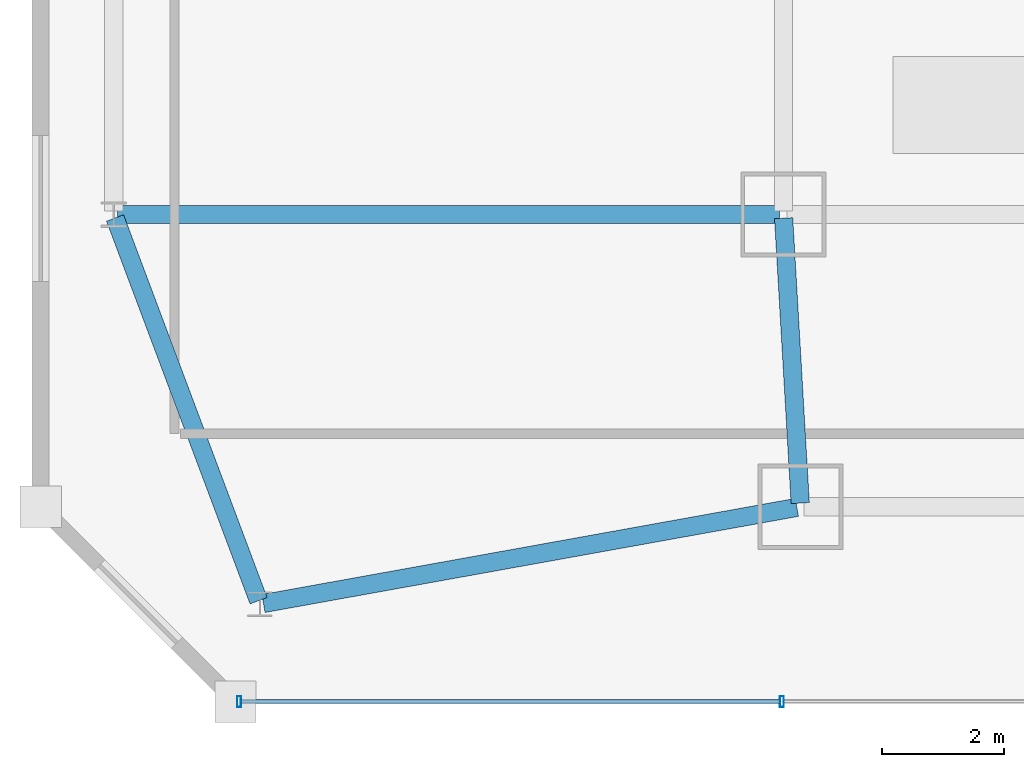
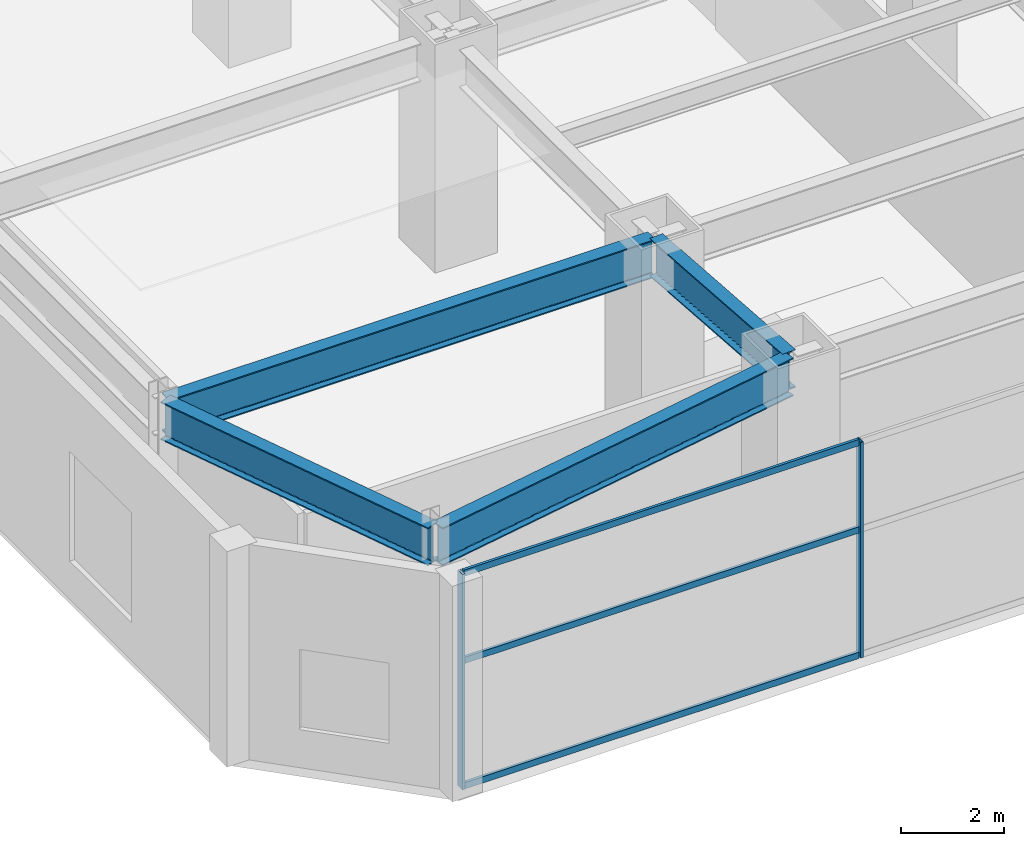
# One storey, part 8 of 52: 5 members, 4 beams, 1 element without a shape of its own.
"""IFC4 building model written with IfcOpenShell, lengths in metres."""

from ifc_helpers import new_model, si_unit, direction, frame, origin, origin_2d, place, context, subcontext, project, spatial, hollow_rectangle, i_section, extrude, material, material_profile, profile_set, type_object, element, aggregate, save


model = new_model("IFC4")

# Units and contexts
model_context = context("Model", 3, precision=1e-05, world=origin(), true_north=direction((0.0, 1.0)))
body_context = subcontext(model_context, "Body", "Model", "MODEL_VIEW")
ifc_project = project(units=[si_unit("LENGTHUNIT", "METRE"), si_unit("AREAUNIT", "SQUARE_METRE"), si_unit("VOLUMEUNIT", "CUBIC_METRE"), si_unit("PLANEANGLEUNIT", "RADIAN"), si_unit("MASSUNIT", "GRAM", prefix="KILO")], contexts=[model_context])

# Site, building, storey
site_placement = place(None, origin())
site = spatial("IfcSite", under=ifc_project, at=site_placement, CompositionType="ELEMENT")
building_placement = place(site_placement, origin())
building = spatial("IfcBuilding", under=site, at=building_placement, Name="Saevonmaru Cultural Tower", CompositionType="ELEMENT")
storey_placement = place(building_placement, frame((0.0, 0.0, 11.39990234375)))
storey = spatial("IfcBuildingStorey", under=building, at=storey_placement, Name="L02", CompositionType="ELEMENT", Elevation=11.39990234375)

# Beams
ifc_material_1 = material(Name="Steel SM420", Category="steel")
ifc_material_profile_1 = material_profile(ifc_material_1, i_section(OverallWidth=0.300048828125, OverallDepth=0.89990234375, WebThickness=0.01611328125, FlangeThickness=0.028076171875, FilletRadius=0.028076171875, at=origin_2d()), Name="H-900x300x16x28")
ifc_profile_set_1 = profile_set([ifc_material_profile_1], Name="Steel SM420")
beam_type = type_object("IfcBeamType", Name="BM-G-H900", PredefinedType="BEAM", material=ifc_profile_set_1)
beam_1_placement = place(storey_placement, frame((12.4765625, 3.260009765625, 4.650146484375), z_axis=(-0.058221363278, 0.998303697708, 0.0), x_axis=(-0.998303697708, -0.058221363278, 0.0)))
element("IfcBeam", 1, at=beam_1_placement, inside=storey, type_object=beam_type, Name="L02 Podium Girder NS1-1", PredefinedType="BEAM", context=body_context, shape_type="SweptSolid", body=[
    extrude(i_section(OverallWidth=0.300048828125, OverallDepth=0.89990234375, WebThickness=0.01611328125, FlangeThickness=0.028076171875, FilletRadius=0.028076171875, at=origin_2d()), origin(), (0.0, 0.0, 1.0), 4.688232421875),
])
beam_2_placement = place(storey_placement, frame((1.260009765625, 8.0, 4.650146484375), z_axis=(1.0, 0.0, 0.0), x_axis=(0.0, 1.0, 0.0)))
element("IfcBeam", 2, at=beam_2_placement, inside=storey, type_object=beam_type, Name="BM-POD-OW-1-L02", PredefinedType="BEAM", context=body_context, shape_type="SweptSolid", body=[
    extrude(i_section(OverallWidth=0.300048828125, OverallDepth=0.89990234375, WebThickness=0.01611328125, FlangeThickness=0.028076171875, FilletRadius=0.028076171875, at=origin_2d()), origin(), (0.0, 0.0, 1.0), 10.8798828125),
])
beam_3_placement = place(storey_placement, frame((3.658935546875, 1.610595703125, 4.650146484375), z_axis=(0.984149934695, 0.177338394151, 0.0), x_axis=(-0.177338394151, 0.984149934695, 0.0)))
element("IfcBeam", 3, at=beam_3_placement, inside=storey, type_object=beam_type, Name="BM-POD-PS-1-L02", PredefinedType="BEAM", context=body_context, shape_type="SweptSolid", body=[
    extrude(i_section(OverallWidth=0.300048828125, OverallDepth=0.89990234375, WebThickness=0.01611328125, FlangeThickness=0.028076171875, FilletRadius=0.028076171875, at=origin_2d()), origin(), (0.0, 0.0, 1.0), 8.903076171875),
])
beam_4_placement = place(storey_placement, frame((3.578857421875, 1.65625, 4.650146484375), z_axis=(-0.351099535502, 0.936338142003, 0.0), x_axis=(-0.936338142003, -0.351099535502, 0.0)))
element("IfcBeam", 4, at=beam_4_placement, inside=storey, type_object=beam_type, Name="BM-POD-PS-3-L02", PredefinedType="BEAM", context=body_context, shape_type="SweptSolid", body=[
    extrude(i_section(OverallWidth=0.300048828125, OverallDepth=0.89990234375, WebThickness=0.01611328125, FlangeThickness=0.028076171875, FilletRadius=0.028076171875, at=origin_2d()), origin(), (0.0, 0.0, 1.0), 6.715087890625),
])

# Curtain wall, members
ifc_material_2 = material(Name="Satin Bronze Anodised Aluminium", Category="aluminium")
curtain_wall_type = type_object("IfcCurtainWallType", Name="CW-POD-GLZ", PredefinedType="NOTDEFINED", material=ifc_material_2)
curtain_wall_placement = place(storey_placement, origin())
curtain_wall = element("IfcCurtainWall", 5, at=curtain_wall_placement, inside=storey, type_object=curtain_wall_type, Name="L02 South Grand Foyer Curtain Wall", PredefinedType="NOTDEFINED")
ifc_material_profile_2 = material_profile(ifc_material_2, hollow_rectangle(XDim=0.06494140625, YDim=0.179931640625, WallThickness=0.00390625, at=origin_2d()), Name="ALU-MULL-180x65x4")
ifc_profile_set_2 = profile_set([ifc_material_profile_2], Name="Satin Bronze Anodised Aluminium")
member_type_1 = type_object("IfcMemberType", Name="ML-CW-180x65", PredefinedType="MULLION", material=ifc_profile_set_2)
member_1_placement = place(storey_placement, frame((3.260009765625, 0.0, 0.0), z_axis=(0.0, 0.0, 1.0), x_axis=(1.0, 0.0, 0.0)))
member_1 = element("IfcMember", 6, at=member_1_placement, type_object=member_type_1, Name="CW-POD-S-L02 mullion 1", PredefinedType="MULLION", context=body_context, shape_type="SweptSolid", body=[
    extrude(hollow_rectangle(XDim=0.06494140625, YDim=0.179931640625, WallThickness=0.00390625, at=origin_2d()), origin(), (0.0, 0.0, 1.0), 5.10009765625),
])
member_2_placement = place(storey_placement, frame((12.17333984375, 0.0, 0.0), z_axis=(0.0, 0.0, 1.0), x_axis=(1.0, 0.0, 0.0)))
member_2 = element("IfcMember", 7, at=member_2_placement, type_object=member_type_1, Name="CW-POD-S-L02 mullion 2", PredefinedType="MULLION", context=body_context, shape_type="SweptSolid", body=[
    extrude(hollow_rectangle(XDim=0.06494140625, YDim=0.179931640625, WallThickness=0.00390625, at=origin_2d()), origin(), (0.0, 0.0, 1.0), 5.10009765625),
])
ifc_material_profile_3 = material_profile(ifc_material_2, hollow_rectangle(XDim=0.06494140625, YDim=0.14990234375, WallThickness=0.00390625, at=origin_2d()), Name="ALU-TRAN-150x65x4")
ifc_profile_set_3 = profile_set([ifc_material_profile_3], Name="Satin Bronze Anodised Aluminium")
member_type_2 = type_object("IfcMemberType", Name="TR-CW-150x65", PredefinedType="USERDEFINED", material=ifc_profile_set_3)
member_3_placement = place(storey_placement, frame((3.29248046875, 0.0, 0.03271484375), z_axis=(1.0, 0.0, 0.0), x_axis=(0.0, 1.0, 0.0)))
member_3 = element("IfcMember", 8, at=member_3_placement, type_object=member_type_2, Name="CW-POD-S-L02 transom 1.1", ObjectType="TRANSOM", PredefinedType="USERDEFINED", context=body_context, shape_type="SweptSolid", body=[
    extrude(hollow_rectangle(XDim=0.06494140625, YDim=0.14990234375, WallThickness=0.00390625, at=origin_2d()), origin(), (0.0, 0.0, 1.0), 8.848388671875),
])
member_4_placement = place(storey_placement, frame((3.29248046875, 0.0, 3.0), z_axis=(1.0, 0.0, 0.0), x_axis=(0.0, 1.0, 0.0)))
member_4 = element("IfcMember", 9, at=member_4_placement, type_object=member_type_2, Name="CW-POD-S-L02 transom 1.2", ObjectType="TRANSOM", PredefinedType="USERDEFINED", context=body_context, shape_type="SweptSolid", body=[
    extrude(hollow_rectangle(XDim=0.06494140625, YDim=0.14990234375, WallThickness=0.00390625, at=origin_2d()), origin(), (0.0, 0.0, 1.0), 8.848388671875),
])
member_5_placement = place(storey_placement, frame((3.29248046875, 0.0, 5.067626953125), z_axis=(1.0, 0.0, 0.0), x_axis=(0.0, 1.0, 0.0)))
member_5 = element("IfcMember", 10, at=member_5_placement, type_object=member_type_2, Name="CW-POD-S-L02 transom 1.3", ObjectType="TRANSOM", PredefinedType="USERDEFINED", context=body_context, shape_type="SweptSolid", body=[
    extrude(hollow_rectangle(XDim=0.06494140625, YDim=0.14990234375, WallThickness=0.00390625, at=origin_2d()), origin(), (0.0, 0.0, 1.0), 8.848388671875),
])
aggregate(curtain_wall, [member_1, member_2, member_3, member_4, member_5])

save(model, "model.ifc")
